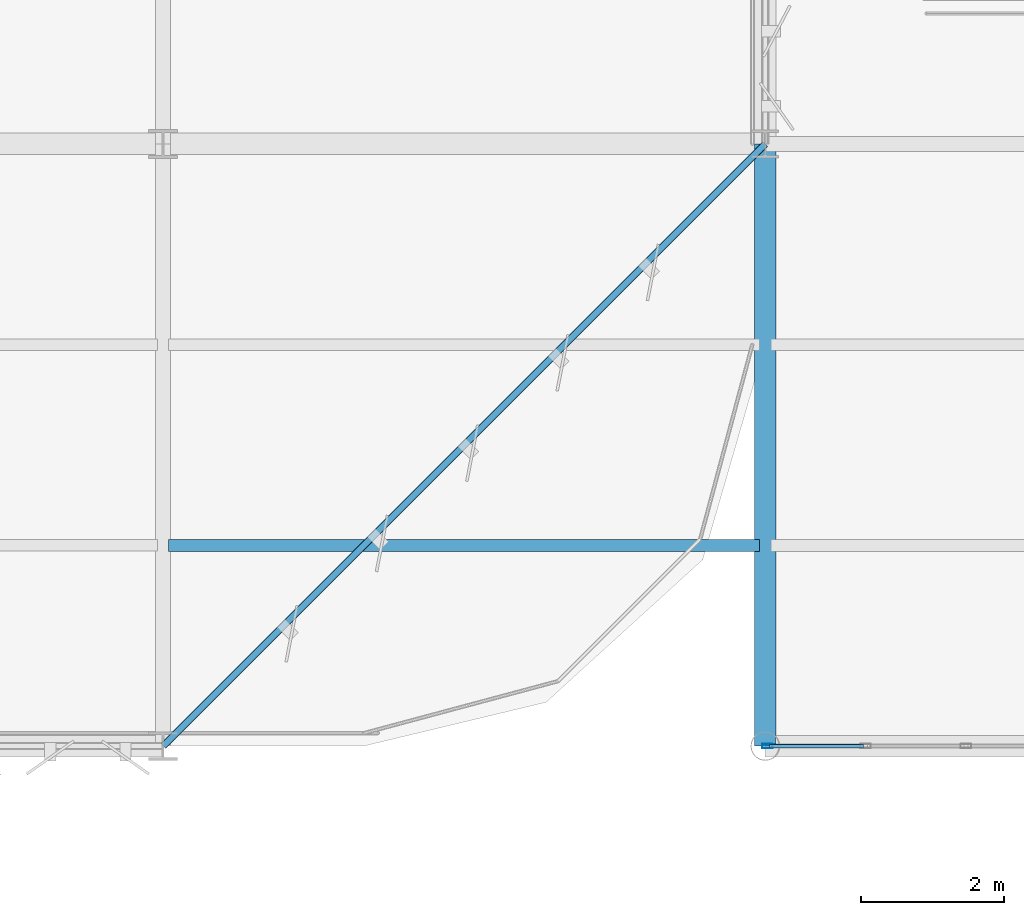
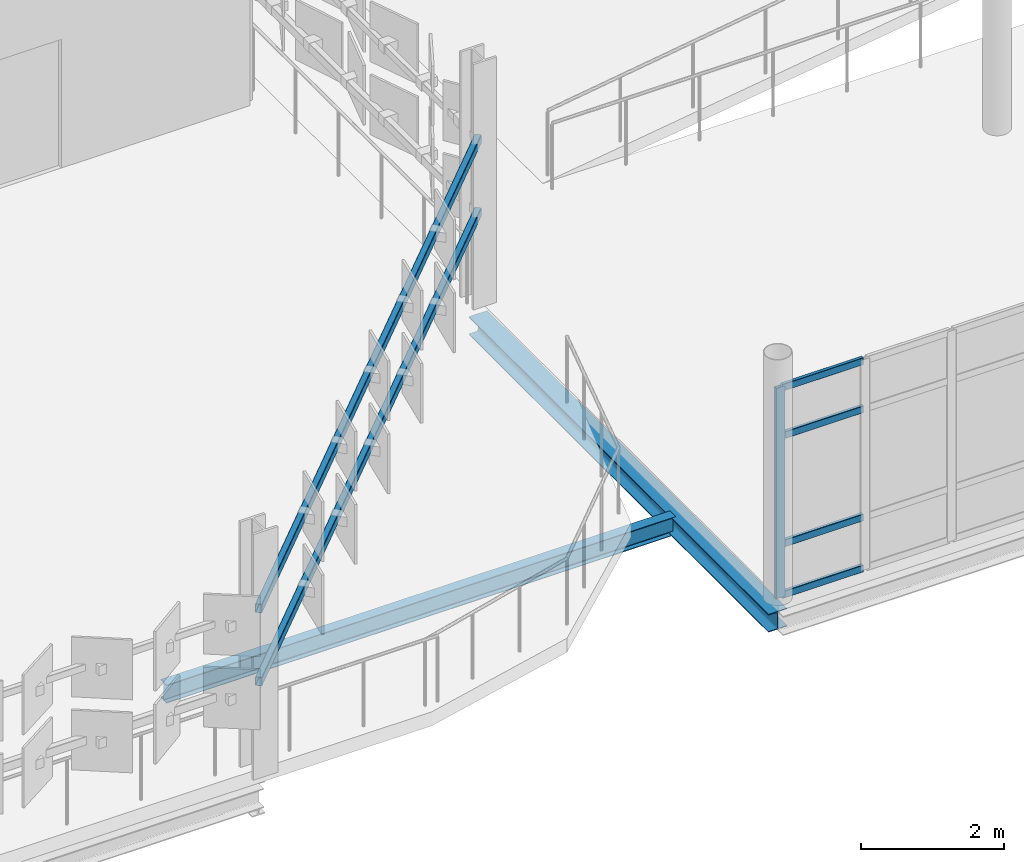
# One storey, part 106 of 163: 5 members, 4 beams, 1 element without a shape of its own.
"""IFC4 building model written with IfcOpenShell, lengths in metres."""

from ifc_helpers import new_model, si_unit, direction, frame, origin, origin_2d, place, context, subcontext, project, spatial, hollow_rectangle, i_section, extrude, material, layer, layer_set, material_profile, profile_set, type_object, element, aggregate, save


model = new_model("IFC4")

# Units and contexts
model_context = context("Model", 3, precision=1e-05, world=origin(), true_north=direction((0.0, 1.0)))
body_context = subcontext(model_context, "Body", "Model", "MODEL_VIEW")
ifc_project = project(units=[si_unit("LENGTHUNIT", "METRE"), si_unit("AREAUNIT", "SQUARE_METRE"), si_unit("VOLUMEUNIT", "CUBIC_METRE"), si_unit("PLANEANGLEUNIT", "RADIAN"), si_unit("MASSUNIT", "GRAM", prefix="KILO")], contexts=[model_context])

# Site, building, storey
site_placement = place(None, origin())
site = spatial("IfcSite", under=ifc_project, at=site_placement, CompositionType="ELEMENT")
building_placement = place(site_placement, origin())
building = spatial("IfcBuilding", under=site, at=building_placement, Name="Qalvenar Corner Mobility Hub", CompositionType="ELEMENT")
storey_placement = place(building_placement, frame((0.0, 0.0, 4.800048828125)))
storey = spatial("IfcBuildingStorey", under=building, at=storey_placement, Name="L01", CompositionType="ELEMENT", Elevation=4.800048828125)

# Beams
ifc_material_1 = material(Name="Steel S355", Category="steel")
ifc_material_profile_1 = material_profile(ifc_material_1, i_section(OverallWidth=0.1650390625, OverallDepth=0.31005859375, WebThickness=0.005859375, FlangeThickness=0.009765625, FilletRadius=0.011962890625, at=origin_2d()), Name="W310x38.7")
ifc_profile_set_1 = profile_set([ifc_material_profile_1], Name="Steel S355")
beam_type_1 = type_object("IfcBeamType", Name="BM-JST310", PredefinedType="JOIST", material=ifc_profile_set_1)
beam_1_placement = place(storey_placement, frame((134.47802734375, 70.0, -0.39501953125), z_axis=(1.0, 0.0, 0.0), x_axis=(0.0, 1.0, 0.0)))
element("IfcBeam", 1, at=beam_1_placement, inside=storey, type_object=beam_type_1, Name="Composite Floor Joist J-1498", PredefinedType="JOIST", context=body_context, shape_type="SweptSolid", body=[
    extrude(i_section(OverallWidth=0.1650390625, OverallDepth=0.31005859375, WebThickness=0.005859375, FlangeThickness=0.009765625, FilletRadius=0.011962890625, at=origin_2d()), origin(), (0.0, 0.0, 1.0), 8.243896484375),
])
ifc_material_profile_2 = material_profile(ifc_material_1, i_section(OverallWidth=0.300048828125, OverallDepth=0.31005859375, WebThickness=0.009033203125, FlangeThickness=0.015380859375, FilletRadius=0.027099609375, at=origin_2d()), Name="HEA320")
ifc_profile_set_2 = profile_set([ifc_material_profile_2], Name="Steel S355")
beam_type_2 = type_object("IfcBeamType", Name="BM-SPN320", PredefinedType="SPANDREL", material=ifc_profile_set_2)
beam_2_placement = place(storey_placement, frame((142.800048828125, 67.199951171875, -0.39501953125), z_axis=(0.0, 1.0, 0.0), x_axis=(-1.0, 0.0, 0.0)))
element("IfcBeam", 2, at=beam_2_placement, inside=storey, type_object=beam_type_2, Name="Primary Steel Girder GY-1482", PredefinedType="SPANDREL", context=body_context, shape_type="SweptSolid", body=[
    extrude(i_section(OverallWidth=0.300048828125, OverallDepth=0.31005859375, WebThickness=0.009033203125, FlangeThickness=0.015380859375, FilletRadius=0.027099609375, at=origin_2d()), origin(), (0.0, 0.0, 1.0), 8.400146484375),
])

# Curtain wall, members
ifc_material_2 = material(Name="Anodised Aluminium and Low-E Glazing", Category="aluminium")
ifc_layer = layer(ifc_material_2, 0.1201171875)
ifc_layer_set = layer_set([ifc_layer], Name="Anodised Aluminium and Low-E Glazing")
curtain_wall_type = type_object("IfcCurtainWallType", Name="CW-STR-42X40", PredefinedType="NOTDEFINED", material=ifc_layer_set)
curtain_wall_placement = place(storey_placement, origin())
curtain_wall = element("IfcCurtainWall", 3, at=curtain_wall_placement, inside=storey, type_object=curtain_wall_type, Name="Glazed Curtain Wall CW-V2-L01-S0", PredefinedType="NOTDEFINED")
ifc_material_3 = material(Name="Anodised Aluminium 6063-T6", Category="aluminium")
ifc_material_profile_3 = material_profile(ifc_material_3, hollow_rectangle(XDim=0.06005859375, YDim=0.14990234375, WallThickness=0.00390625, InnerFilletRadius=0.00390625, OuterFilletRadius=0.008056640625, at=origin_2d()), Name="RHS150x60x4")
ifc_profile_set_3 = profile_set([ifc_material_profile_3], Name="Anodised Aluminium 6063-T6")
member_type_1 = type_object("IfcMemberType", Name="CW-MUL150", PredefinedType="MULLION", material=ifc_profile_set_3)
member_1_placement = place(storey_placement, frame((142.830078125, 67.199951171875, 0.0), z_axis=(0.0, 0.0, 1.0), x_axis=(0.0, 1.0, 0.0)))
member_1 = element("IfcMember", 4, at=member_1_placement, type_object=member_type_1, Name="CW-10 mullion 1", PredefinedType="MULLION", context=body_context, shape_type="SweptSolid", body=[
    extrude(hollow_rectangle(XDim=0.06005859375, YDim=0.14990234375, WallThickness=0.00390625, InnerFilletRadius=0.00390625, OuterFilletRadius=0.008056640625, at=origin_2d()), origin(), (0.0, 0.0, 1.0), 3.599853515625),
])
ifc_material_profile_4 = material_profile(ifc_material_3, hollow_rectangle(XDim=0.054931640625, YDim=0.1201171875, WallThickness=0.00341796875, InnerFilletRadius=0.00341796875, OuterFilletRadius=0.007080078125, at=origin_2d()), Name="RHS120x55x3.5")
ifc_profile_set_4 = profile_set([ifc_material_profile_4], Name="Anodised Aluminium 6063-T6")
member_type_2 = type_object("IfcMemberType", Name="CW-TRN120", PredefinedType="USERDEFINED", material=ifc_profile_set_4)
member_2_placement = place(storey_placement, frame((142.860107421875, 67.199951171875, 0.02734375), z_axis=(1.0, 0.0, 0.0), x_axis=(0.0, 1.0, 0.0)))
member_2 = element("IfcMember", 5, at=member_2_placement, type_object=member_type_2, Name="CW-10 transom 1.1", ObjectType="TRANSOM", PredefinedType="USERDEFINED", context=body_context, shape_type="SweptSolid", body=[
    extrude(hollow_rectangle(XDim=0.054931640625, YDim=0.1201171875, WallThickness=0.00341796875, InnerFilletRadius=0.00341796875, OuterFilletRadius=0.007080078125, at=origin_2d()), origin(), (0.0, 0.0, 1.0), 1.309814453125),
])
member_3_placement = place(storey_placement, frame((142.860107421875, 67.199951171875, 0.89990234375), z_axis=(1.0, 0.0, 0.0), x_axis=(0.0, 1.0, 0.0)))
member_3 = element("IfcMember", 6, at=member_3_placement, type_object=member_type_2, Name="CW-10 transom 1.2", ObjectType="TRANSOM", PredefinedType="USERDEFINED", context=body_context, shape_type="SweptSolid", body=[
    extrude(hollow_rectangle(XDim=0.054931640625, YDim=0.1201171875, WallThickness=0.00341796875, InnerFilletRadius=0.00341796875, OuterFilletRadius=0.007080078125, at=origin_2d()), origin(), (0.0, 0.0, 1.0), 1.309814453125),
])
member_4_placement = place(storey_placement, frame((142.860107421875, 67.199951171875, 2.75), z_axis=(1.0, 0.0, 0.0), x_axis=(0.0, 1.0, 0.0)))
member_4 = element("IfcMember", 7, at=member_4_placement, type_object=member_type_2, Name="CW-10 transom 1.3", ObjectType="TRANSOM", PredefinedType="USERDEFINED", context=body_context, shape_type="SweptSolid", body=[
    extrude(hollow_rectangle(XDim=0.054931640625, YDim=0.1201171875, WallThickness=0.00341796875, InnerFilletRadius=0.00341796875, OuterFilletRadius=0.007080078125, at=origin_2d()), origin(), (0.0, 0.0, 1.0), 1.309814453125),
])
member_5_placement = place(storey_placement, frame((142.860107421875, 67.199951171875, 3.572509765625), z_axis=(1.0, 0.0, 0.0), x_axis=(0.0, 1.0, 0.0)))
member_5 = element("IfcMember", 8, at=member_5_placement, type_object=member_type_2, Name="CW-10 transom 1.4", ObjectType="TRANSOM", PredefinedType="USERDEFINED", context=body_context, shape_type="SweptSolid", body=[
    extrude(hollow_rectangle(XDim=0.054931640625, YDim=0.1201171875, WallThickness=0.00341796875, InnerFilletRadius=0.00341796875, OuterFilletRadius=0.007080078125, at=origin_2d()), origin(), (0.0, 0.0, 1.0), 1.309814453125),
])
aggregate(curtain_wall, [member_1, member_2, member_3, member_4, member_5])

# Beams
ifc_material_profile_5 = material_profile(ifc_material_1, hollow_rectangle(XDim=0.10009765625, YDim=0.14990234375, WallThickness=0.00634765625, InnerFilletRadius=0.00634765625, OuterFilletRadius=0.0126953125, at=origin_2d()), Name="RHS150x100x6.3")
ifc_profile_set_5 = profile_set([ifc_material_profile_5], Name="Steel S355")
beam_type_3 = type_object("IfcBeamType", Name="FR-RAIL150", PredefinedType="SPANDREL", material=ifc_profile_set_5)
for number, where, z_axis, x_axis, name in (
    (9, (134.39990234375, 67.199951171875, 1.5), (0.707106781187, 0.707106781187, 0.0), (-0.707106781187, 0.707106781187, 0.0), "Corner Facade Rail FRC-L01-0043"),
    (10, (134.39990234375, 67.199951171875, 2.75), (0.707106781187, 0.707106781187, 0.0), (-0.707106781187, 0.707106781187, 0.0), "Corner Facade Rail FRC-L01-0044"),
):
    element("IfcBeam", number, at=place(storey_placement, frame(where, z_axis=z_axis, x_axis=x_axis)), inside=storey, type_object=beam_type_3, Name=name, PredefinedType="SPANDREL", context=body_context, shape_type="SweptSolid", body=[
        extrude(hollow_rectangle(XDim=0.10009765625, YDim=0.14990234375, WallThickness=0.00634765625, InnerFilletRadius=0.00634765625, OuterFilletRadius=0.0126953125, at=origin_2d()), origin(), (0.0, 0.0, 1.0), 11.879638671875),
    ])

save(model, "model.ifc")
